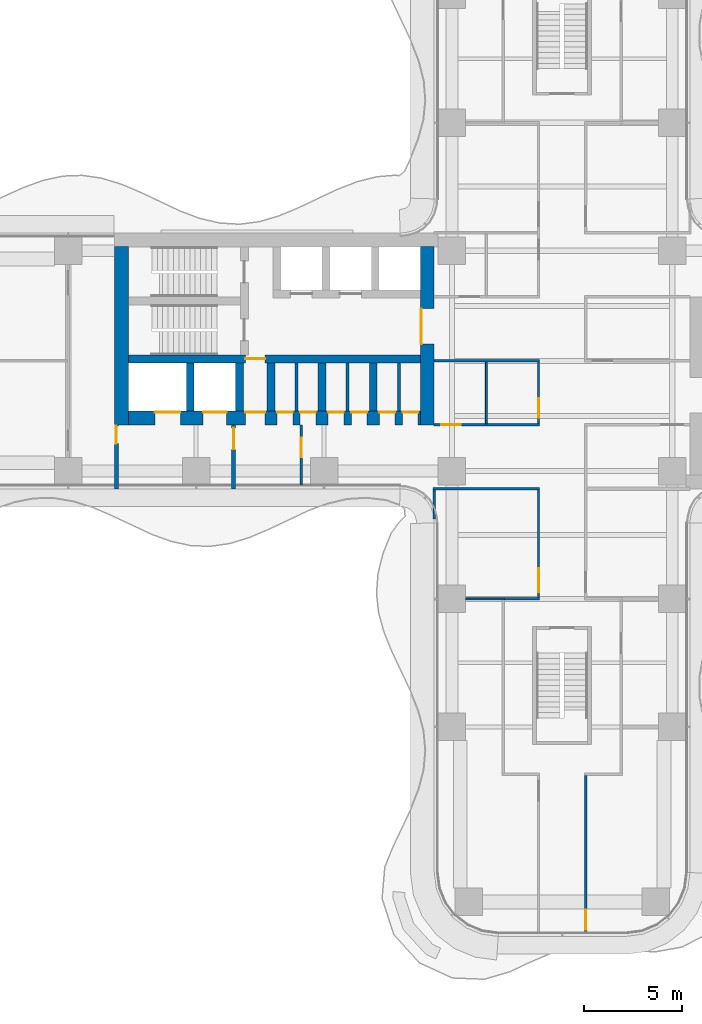
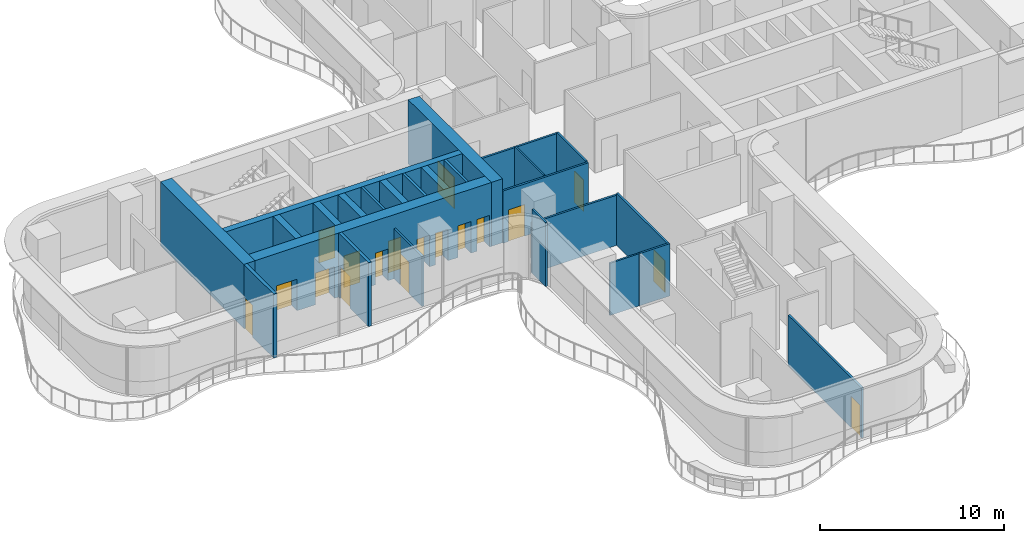
# One storey, part 17 of 22: 25 walls, 18 doors, 18 openings.
"""IFC4 building model written with IfcOpenShell, lengths in metres."""

from ifc_helpers import new_model, si_unit, direction, frame, frame_2d, origin, place, context, subcontext, project, spatial, rectangle, extrude, source, transform, mapped, material, layer, layer_set, type_object, element, fill, save


model = new_model("IFC4")

# Units and contexts
model_context = context("Model", 3, precision=1e-05, world=origin(), true_north=direction((0.0, 1.0)))
body_context = subcontext(model_context, "Body", "Model", "MODEL_VIEW")
ifc_project = project(units=[si_unit("LENGTHUNIT", "METRE"), si_unit("AREAUNIT", "SQUARE_METRE"), si_unit("VOLUMEUNIT", "CUBIC_METRE"), si_unit("PLANEANGLEUNIT", "RADIAN"), si_unit("MASSUNIT", "GRAM", prefix="KILO")], contexts=[model_context])

# Site, building, storey
site_placement = place(None, origin())
site = spatial("IfcSite", under=ifc_project, at=site_placement, CompositionType="ELEMENT")
building_placement = place(site_placement, origin())
building = spatial("IfcBuilding", under=site, at=building_placement, Name="Trellis Farm Tower", CompositionType="ELEMENT")
storey_placement = place(building_placement, frame((0.0, 0.0, 79.0)))
storey = spatial("IfcBuildingStorey", under=building, at=storey_placement, Name="L16", CompositionType="ELEMENT", Elevation=79.0)

# Wall, opening, door
ifc_material_1 = material(Name="Concrete C80/95", Category="concrete")
ifc_layer_1 = layer(ifc_material_1, 0.699951171875)
ifc_layer_set_1 = layer_set([ifc_layer_1], Name="CORE OUTER WALL 700 CONCRETE C80/95")
wall_type_1 = type_object("IfcWallType", Name="CORE OUTER WALL 700 CONCRETE C80/95", PredefinedType="SHEAR", material=ifc_layer_set_1)
shared_shape_1 = source(origin(), body_context, "Body", "SweptSolid", [
    extrude(rectangle(XDim=9.050048828125, YDim=0.699951171875, at=frame_2d((4.52490234375, 0.0))), origin(), (0.0, 0.0, 1.0), 4.25),
])
wall_1_placement = place(storey_placement, frame((-6.85009765625, 5.800048828125, 0.0), z_axis=(0.0, 0.0, 1.0), x_axis=(0.0, -1.0, 0.0)))
wall_1 = element("IfcWall", 1, at=wall_1_placement, inside=storey, type_object=wall_type_1, Name="Core wall", PredefinedType="SHEAR", context=body_context, shape_type="MappedRepresentation", body=[
    mapped(shared_shape_1, transform((0.0, 0.0, 0.0))),
])
shared_shape_2 = source(origin(), body_context, "Body", "SweptSolid", [
    extrude(rectangle(XDim=1.800048828125, YDim=2.10009765625, at=frame_2d((0.89990234375, 1.050048828125))), frame((0.0, 0.360107421875, 0.0), z_axis=(0.0, -1.0, 0.0), x_axis=(1.0, 0.0, 0.0)), (0.0, 0.0, 1.0), 0.72021484375),
])
opening_1_placement = place(wall_1_placement, frame((3.14990234375, 0.0, 0.0)))
opening_1 = element("IfcOpeningElement", 2, at=opening_1_placement, cuts=wall_1, Name="Opening DC87", PredefinedType="OPENING", context=body_context, shape_type="MappedRepresentation", body=[
    mapped(shared_shape_2, transform((0.0, 0.0, 0.0))),
])
ifc_material_2 = material(Name="Steel", Category="steel")
door_type_1 = type_object("IfcDoorType", Name="CORE FIRE DOOR DOUBLE 1800 X 2100", OperationType="DOUBLE_DOOR_SINGLE_SWING", PredefinedType="DOOR", material=ifc_material_2)
shared_shape_3 = source(origin(), body_context, "Body", "SweptSolid", [
    extrude(rectangle(XDim=1.800048828125, YDim=2.10009765625, at=frame_2d((0.89990234375, 1.050048828125))), frame((0.0, -0.27490234375, 0.0), z_axis=(0.0, -1.0, 0.0), x_axis=(1.0, 0.0, 0.0)), (0.0, 0.0, 1.0), 0.050048828125),
])
door_1_placement = place(opening_1_placement, origin())
door_1 = element("IfcDoor", 3, at=door_1_placement, inside=storey, type_object=door_type_1, Name="Core door", OperationType="DOUBLE_DOOR_SINGLE_SWING", OverallHeight=2.10009765625, OverallWidth=1.800048828125, PredefinedType="DOOR", context=body_context, shape_type="MappedRepresentation", body=[
    mapped(shared_shape_3, transform((0.0, 0.0, 0.0))),
])
fill(opening_1, door_1)

# Walls
wall_2_placement = place(storey_placement, frame((-22.39990234375, 5.800048828125, 0.0), z_axis=(0.0, 0.0, 1.0), x_axis=(0.0, -1.0, 0.0)))
element("IfcWall", 4, at=wall_2_placement, inside=storey, type_object=wall_type_1, Name="Core wall", PredefinedType="SHEAR", context=body_context, shape_type="MappedRepresentation", body=[
    mapped(shared_shape_1, transform((0.0, 0.0, 0.0))),
])
ifc_layer_2 = layer(ifc_material_1, 0.39990234375)
ifc_layer_set_2 = layer_set([ifc_layer_2], Name="CORE INNER WALL 400 CONCRETE C80/95")
wall_type_2 = type_object("IfcWallType", Name="CORE INNER WALL 400 CONCRETE C80/95", PredefinedType="SHEAR", material=ifc_layer_set_2)
shared_shape_4 = source(origin(), body_context, "Body", "SweptSolid", [
    extrude(rectangle(XDim=2.449951171875, YDim=0.39990234375, at=frame_2d((1.22509765625, 0.0))), origin(), (0.0, 0.0, 1.0), 4.25),
])
for number, where, z_axis, x_axis, name in (
    (5, (-9.60009765625, -0.10009765625, 0.0), (0.0, 0.0, 1.0), (0.0, -1.0, 0.0), "Core wall"),
    (6, (-12.199951171875, -0.10009765625, 0.0), (0.0, 0.0, 1.0), (0.0, -1.0, 0.0), "Core wall"),
    (7, (-14.800048828125, -0.10009765625, 0.0), (0.0, 0.0, 1.0), (0.0, -1.0, 0.0), "Core wall"),
    (8, (-16.39990234375, -0.10009765625, 0.0), (0.0, 0.0, 1.0), (0.0, -1.0, 0.0), "Core wall"),
    (9, (-18.89990234375, -0.10009765625, 0.0), (0.0, 0.0, 1.0), (0.0, -1.0, 0.0), "Core wall"),
):
    element("IfcWall", number, at=place(storey_placement, frame(where, z_axis=z_axis, x_axis=x_axis)), inside=storey, type_object=wall_type_2, Name=name, PredefinedType="SHEAR", context=body_context, shape_type="MappedRepresentation", body=[
        mapped(shared_shape_4, transform((0.0, 0.0, 0.0))),
    ])

# Wall, opening, door
ifc_material_3 = material(Name="Masonry blockwork", Category="masonry")
ifc_layer_3 = layer(ifc_material_3, 0.199951171875)
ifc_layer_set_3 = layer_set([ifc_layer_3], Name="FIRE LOBBY PARTITION 200 BLOCKWORK")
wall_type_3 = type_object("IfcWallType", Name="FIRE LOBBY PARTITION 200 BLOCKWORK", PredefinedType="PARTITIONING", material=ifc_layer_set_3)
shared_shape_5 = source(origin(), body_context, "Body", "SweptSolid", [
    extrude(rectangle(XDim=3.25, YDim=0.199951171875, at=frame_2d((1.625, 0.0))), origin(), (0.0, 0.0, 1.0), 4.25),
])
wall_3_placement = place(storey_placement, frame((-16.699951171875, -3.25, 0.0), z_axis=(0.0, 0.0, 1.0), x_axis=(0.0, -1.0, 0.0)))
wall_3 = element("IfcWall", 10, at=wall_3_placement, inside=storey, type_object=wall_type_3, Name="Fire-fighting lobby partition", PredefinedType="PARTITIONING", context=body_context, shape_type="MappedRepresentation", body=[
    mapped(shared_shape_5, transform((0.0, 0.0, 0.0))),
])
shared_shape_6 = source(origin(), body_context, "Body", "SweptSolid", [
    extrude(rectangle(XDim=1.10009765625, YDim=2.10009765625, at=frame_2d((0.550048828125, 1.050048828125))), frame((0.0, 0.110107421875, 0.0), z_axis=(0.0, -1.0, 0.0), x_axis=(1.0, 0.0, 0.0)), (0.0, 0.0, 1.0), 0.22021484375),
])
opening_2_placement = place(wall_3_placement, frame((0.14990234375, 0.0, 0.0)))
opening_2 = element("IfcOpeningElement", 11, at=opening_2_placement, cuts=wall_3, Name="Opening DC93", PredefinedType="OPENING", context=body_context, shape_type="MappedRepresentation", body=[
    mapped(shared_shape_6, transform((0.0, 0.0, 0.0))),
])
door_type_2 = type_object("IfcDoorType", Name="CORE FIRE DOOR 1100 X 2100", OperationType="NOTDEFINED", PredefinedType="DOOR", material=ifc_material_2)
shared_shape_7 = source(origin(), body_context, "Body", "SweptSolid", [
    extrude(rectangle(XDim=1.10009765625, YDim=2.10009765625, at=frame_2d((0.550048828125, 1.050048828125))), frame((0.0, 0.02490234375, 0.0), z_axis=(0.0, -1.0, 0.0), x_axis=(1.0, 0.0, 0.0)), (0.0, 0.0, 1.0), 0.050048828125),
])
door_2_placement = place(opening_2_placement, origin())
door_2 = element("IfcDoor", 12, at=door_2_placement, inside=storey, type_object=door_type_2, Name="Core door", OperationType="SINGLE_SWING_RIGHT", OverallHeight=2.10009765625, OverallWidth=1.10009765625, PredefinedType="DOOR", context=body_context, shape_type="MappedRepresentation", body=[
    mapped(shared_shape_7, transform((0.0, 0.0, 0.0))),
])
fill(opening_2, door_2)

wall_4_placement = place(storey_placement, frame((-22.64990234375, -3.25, 0.0), z_axis=(0.0, 0.0, 1.0), x_axis=(0.0, -1.0, 0.0)))
wall_4 = element("IfcWall", 13, at=wall_4_placement, inside=storey, type_object=wall_type_3, Name="Fire-fighting lobby partition", PredefinedType="PARTITIONING", context=body_context, shape_type="MappedRepresentation", body=[
    mapped(shared_shape_5, transform((0.0, 0.0, 0.0))),
])
shared_shape_8 = source(origin(), body_context, "Body", "SweptSolid", [
    extrude(rectangle(XDim=0.89990234375, YDim=2.10009765625, at=frame_2d((0.449951171875, 1.050048828125))), frame((0.0, 0.110107421875, 0.0), z_axis=(0.0, -1.0, 0.0), x_axis=(1.0, 0.0, 0.0)), (0.0, 0.0, 1.0), 0.22021484375),
])
opening_3_placement = place(wall_4_placement, frame((0.050048828125, 0.0, 0.0)))
opening_3 = element("IfcOpeningElement", 14, at=opening_3_placement, cuts=wall_4, Name="Opening DC94", PredefinedType="OPENING", context=body_context, shape_type="MappedRepresentation", body=[
    mapped(shared_shape_8, transform((0.0, 0.0, 0.0))),
])
door_type_3 = type_object("IfcDoorType", Name="CORE FIRE DOOR 900 X 2100", OperationType="NOTDEFINED", PredefinedType="DOOR", material=ifc_material_2)
shared_shape_9 = source(origin(), body_context, "Body", "SweptSolid", [
    extrude(rectangle(XDim=0.89990234375, YDim=2.10009765625, at=frame_2d((0.449951171875, 1.050048828125))), frame((0.0, 0.02490234375, 0.0), z_axis=(0.0, -1.0, 0.0), x_axis=(1.0, 0.0, 0.0)), (0.0, 0.0, 1.0), 0.050048828125),
])
door_3_placement = place(opening_3_placement, origin())
door_3 = element("IfcDoor", 15, at=door_3_placement, inside=storey, type_object=door_type_3, Name="Core door", OperationType="SINGLE_SWING_RIGHT", OverallHeight=2.10009765625, OverallWidth=0.89990234375, PredefinedType="DOOR", context=body_context, shape_type="MappedRepresentation", body=[
    mapped(shared_shape_9, transform((0.0, 0.0, 0.0))),
])
fill(opening_3, door_3)

# Wall, openings, doors
shared_shape_10 = source(origin(), body_context, "Body", "SweptSolid", [
    extrude(rectangle(XDim=14.85009765625, YDim=0.699951171875, at=frame_2d((7.425048828125, 0.0))), origin(), (0.0, 0.0, 1.0), 4.25),
])
wall_5_placement = place(storey_placement, frame((-7.199951171875, -2.89990234375, 0.0), z_axis=(0.0, 0.0, 1.0), x_axis=(-1.0, 0.0, 0.0)))
wall_5 = element("IfcWall", 16, at=wall_5_placement, inside=storey, type_object=wall_type_1, Name="Core wall", PredefinedType="SHEAR", context=body_context, shape_type="MappedRepresentation", body=[
    mapped(shared_shape_10, transform((0.0, 0.0, 0.0))),
])
shared_shape_11 = source(origin(), body_context, "Body", "SweptSolid", [
    extrude(rectangle(XDim=1.300048828125, YDim=2.10009765625, at=frame_2d((0.64990234375, 1.050048828125))), frame((0.0, 0.360107421875, 0.0), z_axis=(0.0, -1.0, 0.0), x_axis=(1.0, 0.0, 0.0)), (0.0, 0.0, 1.0), 0.72021484375),
])
opening_4_placement = place(wall_5_placement, frame((12.199951171875, 0.0, 0.0)))
opening_4 = element("IfcOpeningElement", 17, at=opening_4_placement, cuts=wall_5, Name="Opening LD15", PredefinedType="OPENING", context=body_context, shape_type="MappedRepresentation", body=[
    mapped(shared_shape_11, transform((0.0, 0.0, 0.0))),
])
shared_shape_12 = source(origin(), body_context, "Body", "SweptSolid", [
    extrude(rectangle(XDim=1.199951171875, YDim=2.10009765625, at=frame_2d((0.60009765625, 1.050048828125))), frame((0.0, 0.360107421875, 0.0), z_axis=(0.0, -1.0, 0.0), x_axis=(1.0, 0.0, 0.0)), (0.0, 0.0, 1.0), 0.72021484375),
])
opening_5_placement = place(wall_5_placement, frame((9.85009765625, 0.0, 0.0)))
opening_5 = element("IfcOpeningElement", 18, at=opening_5_placement, cuts=wall_5, Name="Opening LD16", PredefinedType="OPENING", context=body_context, shape_type="MappedRepresentation", body=[
    mapped(shared_shape_12, transform((0.0, 0.0, 0.0))),
])
shared_shape_13 = source(origin(), body_context, "Body", "SweptSolid", [
    extrude(rectangle(XDim=1.0, YDim=2.10009765625, at=frame_2d((0.5, 1.050048828125))), frame((0.0, 0.360107421875, 0.0), z_axis=(0.0, -1.0, 0.0), x_axis=(1.0, 0.0, 0.0)), (0.0, 0.0, 1.0), 0.72021484375),
])
opening_6_placement = place(wall_5_placement, frame((7.89990234375, 0.0, 0.0)))
opening_6 = element("IfcOpeningElement", 19, at=opening_6_placement, cuts=wall_5, Name="Opening DC92", PredefinedType="OPENING", context=body_context, shape_type="MappedRepresentation", body=[
    mapped(shared_shape_13, transform((0.0, 0.0, 0.0))),
])
shared_shape_14 = source(origin(), body_context, "Body", "SweptSolid", [
    extrude(rectangle(XDim=0.800048828125, YDim=2.10009765625, at=frame_2d((0.39990234375, 1.050048828125))), frame((0.0, 0.360107421875, 0.0), z_axis=(0.0, -1.0, 0.0), x_axis=(1.0, 0.0, 0.0)), (0.0, 0.0, 1.0), 0.72021484375),
])
opening_7_placement = place(wall_5_placement, frame((0.112548828125, 0.0, 0.0)))
opening_7 = element("IfcOpeningElement", 20, at=opening_7_placement, cuts=wall_5, Name="Opening DC95", PredefinedType="OPENING", context=body_context, shape_type="MappedRepresentation", body=[
    mapped(shared_shape_14, transform((0.0, 0.0, 0.0))),
])
opening_8_placement = place(wall_5_placement, frame((1.28759765625, 0.0, 0.0)))
opening_8 = element("IfcOpeningElement", 21, at=opening_8_placement, cuts=wall_5, Name="Opening DC102", PredefinedType="OPENING", context=body_context, shape_type="MappedRepresentation", body=[
    mapped(shared_shape_14, transform((0.0, 0.0, 0.0))),
])
opening_9_placement = place(wall_5_placement, frame((2.71240234375, 0.0, 0.0)))
opening_9 = element("IfcOpeningElement", 22, at=opening_9_placement, cuts=wall_5, Name="Opening DC107", PredefinedType="OPENING", context=body_context, shape_type="MappedRepresentation", body=[
    mapped(shared_shape_14, transform((0.0, 0.0, 0.0))),
])
opening_10_placement = place(wall_5_placement, frame((3.887451171875, 0.0, 0.0)))
opening_10 = element("IfcOpeningElement", 23, at=opening_10_placement, cuts=wall_5, Name="Opening DC114", PredefinedType="OPENING", context=body_context, shape_type="MappedRepresentation", body=[
    mapped(shared_shape_14, transform((0.0, 0.0, 0.0))),
])
opening_11_placement = place(wall_5_placement, frame((5.3125, 0.0, 0.0)))
opening_11 = element("IfcOpeningElement", 24, at=opening_11_placement, cuts=wall_5, Name="Opening DC119", PredefinedType="OPENING", context=body_context, shape_type="MappedRepresentation", body=[
    mapped(shared_shape_14, transform((0.0, 0.0, 0.0))),
])
opening_12_placement = place(wall_5_placement, frame((6.487548828125, 0.0, 0.0)))
opening_12 = element("IfcOpeningElement", 25, at=opening_12_placement, cuts=wall_5, Name="Opening DC126", PredefinedType="OPENING", context=body_context, shape_type="MappedRepresentation", body=[
    mapped(shared_shape_14, transform((0.0, 0.0, 0.0))),
])
door_type_4 = type_object("IfcDoorType", Name="CORE FIRE DOOR 1000 X 2100", OperationType="NOTDEFINED", PredefinedType="DOOR", material=ifc_material_2)
shared_shape_15 = source(origin(), body_context, "Body", "SweptSolid", [
    extrude(rectangle(XDim=1.0, YDim=2.10009765625, at=frame_2d((0.5, 1.050048828125))), frame((0.0, -0.27490234375, 0.0), z_axis=(0.0, -1.0, 0.0), x_axis=(1.0, 0.0, 0.0)), (0.0, 0.0, 1.0), 0.050048828125),
])
door_4_placement = place(opening_6_placement, origin())
door_4 = element("IfcDoor", 26, at=door_4_placement, inside=storey, type_object=door_type_4, Name="Core door", OperationType="SINGLE_SWING_LEFT", OverallHeight=2.10009765625, OverallWidth=1.0, PredefinedType="DOOR", context=body_context, shape_type="MappedRepresentation", body=[
    mapped(shared_shape_15, transform((0.0, 0.0, 0.0))),
])
fill(opening_6, door_4)
ifc_material_4 = material(Name="Stainless steel", Category="steel")
door_type_5 = type_object("IfcDoorType", Name="LIFT LANDING DOOR 1300 X 2100", OperationType="DOUBLE_DOOR_SLIDING", PredefinedType="DOOR", material=ifc_material_4)
shared_shape_16 = source(origin(), body_context, "Body", "SweptSolid", [
    extrude(rectangle(XDim=1.300048828125, YDim=2.10009765625, at=frame_2d((0.64990234375, 1.050048828125))), frame((0.0, -0.27490234375, 0.0), z_axis=(0.0, -1.0, 0.0), x_axis=(1.0, 0.0, 0.0)), (0.0, 0.0, 1.0), 0.050048828125),
])
door_5_placement = place(opening_4_placement, origin())
door_5 = element("IfcDoor", 27, at=door_5_placement, inside=storey, type_object=door_type_5, Name="Lift landing door", OperationType="DOUBLE_DOOR_SLIDING", OverallHeight=2.10009765625, OverallWidth=1.300048828125, PredefinedType="DOOR", context=body_context, shape_type="MappedRepresentation", body=[
    mapped(shared_shape_16, transform((0.0, 0.0, 0.0))),
])
fill(opening_4, door_5)
door_type_6 = type_object("IfcDoorType", Name="LIFT LANDING DOOR 1200 X 2100", OperationType="DOUBLE_DOOR_SLIDING", PredefinedType="DOOR", material=ifc_material_4)
shared_shape_17 = source(origin(), body_context, "Body", "SweptSolid", [
    extrude(rectangle(XDim=1.199951171875, YDim=2.10009765625, at=frame_2d((0.60009765625, 1.050048828125))), frame((0.0, -0.27490234375, 0.0), z_axis=(0.0, -1.0, 0.0), x_axis=(1.0, 0.0, 0.0)), (0.0, 0.0, 1.0), 0.050048828125),
])
door_6_placement = place(opening_5_placement, origin())
door_6 = element("IfcDoor", 28, at=door_6_placement, inside=storey, type_object=door_type_6, Name="Lift landing door", OperationType="DOUBLE_DOOR_SLIDING", OverallHeight=2.10009765625, OverallWidth=1.199951171875, PredefinedType="DOOR", context=body_context, shape_type="MappedRepresentation", body=[
    mapped(shared_shape_17, transform((0.0, 0.0, 0.0))),
])
fill(opening_5, door_6)
door_type_7 = type_object("IfcDoorType", Name="CORE FIRE DOOR 800 X 2100", OperationType="NOTDEFINED", PredefinedType="DOOR", material=ifc_material_2)
shared_shape_18 = source(origin(), body_context, "Body", "SweptSolid", [
    extrude(rectangle(XDim=0.800048828125, YDim=2.10009765625, at=frame_2d((0.39990234375, 1.050048828125))), frame((0.0, -0.27490234375, 0.0), z_axis=(0.0, -1.0, 0.0), x_axis=(1.0, 0.0, 0.0)), (0.0, 0.0, 1.0), 0.050048828125),
])
door_7_placement = place(opening_7_placement, origin())
door_7 = element("IfcDoor", 29, at=door_7_placement, inside=storey, type_object=door_type_7, Name="Core door", OperationType="SINGLE_SWING_LEFT", OverallHeight=2.10009765625, OverallWidth=0.800048828125, PredefinedType="DOOR", context=body_context, shape_type="MappedRepresentation", body=[
    mapped(shared_shape_18, transform((0.0, 0.0, 0.0))),
])
fill(opening_7, door_7)
door_8_placement = place(opening_8_placement, origin())
door_8 = element("IfcDoor", 30, at=door_8_placement, inside=storey, type_object=door_type_7, Name="Core door", OperationType="SINGLE_SWING_RIGHT", OverallHeight=2.10009765625, OverallWidth=0.800048828125, PredefinedType="DOOR", context=body_context, shape_type="MappedRepresentation", body=[
    mapped(shared_shape_18, transform((0.0, 0.0, 0.0))),
])
fill(opening_8, door_8)
door_9_placement = place(opening_9_placement, origin())
door_9 = element("IfcDoor", 31, at=door_9_placement, inside=storey, type_object=door_type_7, Name="Core door", OperationType="SINGLE_SWING_LEFT", OverallHeight=2.10009765625, OverallWidth=0.800048828125, PredefinedType="DOOR", context=body_context, shape_type="MappedRepresentation", body=[
    mapped(shared_shape_18, transform((0.0, 0.0, 0.0))),
])
fill(opening_9, door_9)
door_10_placement = place(opening_10_placement, origin())
door_10 = element("IfcDoor", 32, at=door_10_placement, inside=storey, type_object=door_type_7, Name="Core door", OperationType="SINGLE_SWING_RIGHT", OverallHeight=2.10009765625, OverallWidth=0.800048828125, PredefinedType="DOOR", context=body_context, shape_type="MappedRepresentation", body=[
    mapped(shared_shape_18, transform((0.0, 0.0, 0.0))),
])
fill(opening_10, door_10)
door_11_placement = place(opening_11_placement, origin())
door_11 = element("IfcDoor", 33, at=door_11_placement, inside=storey, type_object=door_type_7, Name="Core door", OperationType="SINGLE_SWING_LEFT", OverallHeight=2.10009765625, OverallWidth=0.800048828125, PredefinedType="DOOR", context=body_context, shape_type="MappedRepresentation", body=[
    mapped(shared_shape_18, transform((0.0, 0.0, 0.0))),
])
fill(opening_11, door_11)
door_12_placement = place(opening_12_placement, origin())
door_12 = element("IfcDoor", 34, at=door_12_placement, inside=storey, type_object=door_type_7, Name="Core door", OperationType="SINGLE_SWING_RIGHT", OverallHeight=2.10009765625, OverallWidth=0.800048828125, PredefinedType="DOOR", context=body_context, shape_type="MappedRepresentation", body=[
    mapped(shared_shape_18, transform((0.0, 0.0, 0.0))),
])
fill(opening_12, door_12)

# Wall, opening, door
shared_shape_19 = source(origin(), body_context, "Body", "SweptSolid", [
    extrude(rectangle(XDim=14.85009765625, YDim=0.39990234375, at=frame_2d((7.425048828125, 0.0))), origin(), (0.0, 0.0, 1.0), 4.25),
])
wall_6_placement = place(storey_placement, frame((-7.199951171875, 0.10009765625, 0.0), z_axis=(0.0, 0.0, 1.0), x_axis=(-1.0, 0.0, 0.0)))
wall_6 = element("IfcWall", 35, at=wall_6_placement, inside=storey, type_object=wall_type_2, Name="Core wall", PredefinedType="SHEAR", context=body_context, shape_type="MappedRepresentation", body=[
    mapped(shared_shape_19, transform((0.0, 0.0, 0.0))),
])
shared_shape_20 = source(origin(), body_context, "Body", "SweptSolid", [
    extrude(rectangle(XDim=1.0, YDim=2.10009765625, at=frame_2d((0.5, 1.050048828125))), frame((0.0, 0.2099609375, 0.0), z_axis=(0.0, -1.0, 0.0), x_axis=(1.0, 0.0, 0.0)), (0.0, 0.0, 1.0), 0.419921875),
])
opening_13_placement = place(wall_6_placement, frame((7.89990234375, 0.0, 0.0)))
opening_13 = element("IfcOpeningElement", 36, at=opening_13_placement, cuts=wall_6, Name="Opening DC91", PredefinedType="OPENING", context=body_context, shape_type="MappedRepresentation", body=[
    mapped(shared_shape_20, transform((0.0, 0.0, 0.0))),
])
shared_shape_21 = source(origin(), body_context, "Body", "SweptSolid", [
    extrude(rectangle(XDim=1.0, YDim=2.10009765625, at=frame_2d((0.5, 1.050048828125))), frame((0.0, 0.02490234375, 0.0), z_axis=(0.0, -1.0, 0.0), x_axis=(1.0, 0.0, 0.0)), (0.0, 0.0, 1.0), 0.050048828125),
])
door_13_placement = place(opening_13_placement, origin())
door_13 = element("IfcDoor", 37, at=door_13_placement, inside=storey, type_object=door_type_4, Name="Core door", OperationType="SINGLE_SWING_RIGHT", OverallHeight=2.10009765625, OverallWidth=1.0, PredefinedType="DOOR", context=body_context, shape_type="MappedRepresentation", body=[
    mapped(shared_shape_21, transform((0.0, 0.0, 0.0))),
])
fill(opening_13, door_13)

# Walls
ifc_layer_4 = layer(ifc_material_3, 0.14990234375)
ifc_layer_set_4 = layer_set([ifc_layer_4], Name="CORE PARTITION 150 BLOCKWORK")
wall_type_4 = type_object("IfcWallType", Name="CORE PARTITION 150 BLOCKWORK", PredefinedType="PARTITIONING", material=ifc_layer_set_4)
shared_shape_22 = source(origin(), body_context, "Body", "SweptSolid", [
    extrude(rectangle(XDim=2.449951171875, YDim=0.14990234375, at=frame_2d((1.22509765625, 0.0))), origin(), (0.0, 0.0, 1.0), 4.25),
])
for number, where, z_axis, x_axis, name in (
    (38, (-8.300048828125, -0.10009765625, 0.0), (0.0, 0.0, 1.0), (0.0, -1.0, 0.0), "Core room partition"),
    (39, (-10.89990234375, -0.10009765625, 0.0), (0.0, 0.0, 1.0), (0.0, -1.0, 0.0), "Core room partition"),
    (40, (-13.5, -0.10009765625, 0.0), (0.0, 0.0, 1.0), (0.0, -1.0, 0.0), "Core room partition"),
):
    element("IfcWall", number, at=place(storey_placement, frame(where, z_axis=z_axis, x_axis=x_axis)), inside=storey, type_object=wall_type_4, Name=name, PredefinedType="PARTITIONING", context=body_context, shape_type="MappedRepresentation", body=[
        mapped(shared_shape_22, transform((0.0, 0.0, 0.0))),
    ])

# Wall, opening, door
ifc_material_5 = material(Name="Plasterboard on steel studs, mineral wool", Category="steel")
ifc_layer_5 = layer(ifc_material_5, 0.125)
ifc_layer_set_5 = layer_set([ifc_layer_5], Name="PARTITION 125 STUD EI 60")
wall_type_5 = type_object("IfcWallType", Name="PARTITION 125 STUD EI 60", PredefinedType="PARTITIONING", material=ifc_layer_set_5)
shared_shape_23 = source(origin(), body_context, "Body", "SweptSolid", [
    extrude(rectangle(XDim=3.125, YDim=0.125, at=frame_2d((1.5625, 0.0))), origin(), (0.0, 0.0, 1.0), 3.54638671875),
])
wall_7_placement = place(storey_placement, frame((-1.199951171875, -0.0625, 0.0), z_axis=(0.0, 0.0, 1.0), x_axis=(0.0, -1.0, 0.0)))
wall_7 = element("IfcWall", 41, at=wall_7_placement, inside=storey, type_object=wall_type_5, Name="Partition PW1", PredefinedType="PARTITIONING", context=body_context, shape_type="MappedRepresentation", body=[
    mapped(shared_shape_23, transform((0.0, 0.0, 0.0))),
])
shared_shape_24 = source(origin(), body_context, "Body", "SweptSolid", [
    extrude(rectangle(XDim=1.0, YDim=2.10009765625, at=frame_2d((0.5, 1.050048828125))), frame((0.0, 0.072509765625, 0.0), z_axis=(0.0, -1.0, 0.0), x_axis=(1.0, 0.0, 0.0)), (0.0, 0.0, 1.0), 0.14501953125),
])
opening_14_placement = place(wall_7_placement, frame((1.83740234375, 0.0, 0.0)))
opening_14 = element("IfcOpeningElement", 42, at=opening_14_placement, cuts=wall_7, Name="Opening D105", PredefinedType="OPENING", context=body_context, shape_type="MappedRepresentation", body=[
    mapped(shared_shape_24, transform((0.0, 0.0, 0.0))),
])
ifc_material_6 = material(Name="Fire-rated timber door leaf in a hollow metal frame", Category="wood")
door_type_8 = type_object("IfcDoorType", Name="DOOR 1000x2100 FD30S", OperationType="NOTDEFINED", PredefinedType="DOOR", material=ifc_material_6)
door_14_placement = place(opening_14_placement, origin())
door_14 = element("IfcDoor", 43, at=door_14_placement, inside=storey, type_object=door_type_8, Name="Door D105", OperationType="SINGLE_SWING_RIGHT", OverallHeight=2.10009765625, OverallWidth=1.0, PredefinedType="DOOR", context=body_context, shape_type="MappedRepresentation", body=[
    mapped(shared_shape_21, transform((0.0, 0.0, 0.0))),
])
fill(opening_14, door_14)

shared_shape_25 = source(origin(), body_context, "Body", "SweptSolid", [
    extrude(rectangle(XDim=5.47509765625, YDim=0.125, at=frame_2d((2.737548828125, 0.0))), origin(), (0.0, 0.0, 1.0), 3.4677734375),
])
wall_8_placement = place(storey_placement, frame((-1.199951171875, -6.5625, 0.0), z_axis=(0.0, 0.0, 1.0), x_axis=(0.0, -1.0, 0.0)))
wall_8 = element("IfcWall", 44, at=wall_8_placement, inside=storey, type_object=wall_type_5, Name="Partition PW1", PredefinedType="PARTITIONING", context=body_context, shape_type="MappedRepresentation", body=[
    mapped(shared_shape_25, transform((0.0, 0.0, 0.0))),
])
shared_shape_26 = source(origin(), body_context, "Body", "SweptSolid", [
    extrude(rectangle(XDim=1.199951171875, YDim=2.10009765625, at=frame_2d((0.60009765625, 1.050048828125))), frame((0.0, 0.072509765625, 0.0), z_axis=(0.0, -1.0, 0.0), x_axis=(1.0, 0.0, 0.0)), (0.0, 0.0, 1.0), 0.14501953125),
])
opening_15_placement = place(wall_8_placement, frame((3.987548828125, 0.0, 0.0)))
opening_15 = element("IfcOpeningElement", 45, at=opening_15_placement, cuts=wall_8, Name="Opening D601", PredefinedType="OPENING", context=body_context, shape_type="MappedRepresentation", body=[
    mapped(shared_shape_26, transform((0.0, 0.0, 0.0))),
])
door_type_9 = type_object("IfcDoorType", Name="DOOR 1200x2100 FD30S", OperationType="NOTDEFINED", PredefinedType="DOOR", material=ifc_material_6)
shared_shape_27 = source(origin(), body_context, "Body", "SweptSolid", [
    extrude(rectangle(XDim=1.199951171875, YDim=2.10009765625, at=frame_2d((0.60009765625, 1.050048828125))), frame((0.0, 0.02490234375, 0.0), z_axis=(0.0, -1.0, 0.0), x_axis=(1.0, 0.0, 0.0)), (0.0, 0.0, 1.0), 0.050048828125),
])
door_15_placement = place(opening_15_placement, origin())
door_15 = element("IfcDoor", 46, at=door_15_placement, inside=storey, type_object=door_type_9, Name="Door D601", OperationType="SINGLE_SWING_RIGHT", OverallHeight=2.10009765625, OverallWidth=1.199951171875, PredefinedType="DOOR", context=body_context, shape_type="MappedRepresentation", body=[
    mapped(shared_shape_27, transform((0.0, 0.0, 0.0))),
])
fill(opening_15, door_15)

# Walls
shared_shape_28 = source(origin(), body_context, "Body", "SweptSolid", [
    extrude(rectangle(XDim=1.468994140625, YDim=0.125, at=frame_2d((0.734375, 0.0))), origin(), (0.0, 0.0, 1.0), 4.25),
])
wall_9_placement = place(storey_placement, frame((-6.5, -6.5625, 0.0), z_axis=(0.0, 0.0, 1.0), x_axis=(0.0, -1.0, 0.0)))
element("IfcWall", 47, at=wall_9_placement, inside=storey, type_object=wall_type_5, Name="Partition PW1", PredefinedType="PARTITIONING", context=body_context, shape_type="MappedRepresentation", body=[
    mapped(shared_shape_28, transform((0.0, 0.0, 0.0))),
])
shared_shape_29 = source(origin(), body_context, "Body", "SweptSolid", [
    extrude(rectangle(XDim=1.925048828125, YDim=0.125, at=frame_2d((0.96240234375, 0.0))), origin(), (0.0, 0.0, 1.0), 3.4677734375),
])
wall_10_placement = place(storey_placement, frame((-3.0625, -12.10009765625, 0.0), z_axis=(0.0, 0.0, 1.0), x_axis=(1.0, 0.0, 0.0)))
element("IfcWall", 48, at=wall_10_placement, inside=storey, type_object=wall_type_5, Name="Partition PW1", PredefinedType="PARTITIONING", context=body_context, shape_type="MappedRepresentation", body=[
    mapped(shared_shape_29, transform((0.0, 0.0, 0.0))),
])

# Wall, opening, door
shared_shape_30 = source(origin(), body_context, "Body", "SweptSolid", [
    extrude(rectangle(XDim=5.362548828125, YDim=0.125, at=frame_2d((2.68115234375, 0.0))), origin(), (0.0, 0.0, 1.0), 3.4677734375),
])
wall_11_placement = place(storey_placement, frame((-1.137451171875, -3.25, 0.0), z_axis=(0.0, 0.0, 1.0), x_axis=(-1.0, 0.0, 0.0)))
wall_11 = element("IfcWall", 49, at=wall_11_placement, inside=storey, type_object=wall_type_5, Name="Partition PW1", PredefinedType="PARTITIONING", context=body_context, shape_type="MappedRepresentation", body=[
    mapped(shared_shape_30, transform((0.0, 0.0, 0.0))),
])
opening_16_placement = place(wall_11_placement, frame((4.012451171875, 0.0, 0.0)))
opening_16 = element("IfcOpeningElement", 50, at=opening_16_placement, cuts=wall_11, Name="Opening D104", PredefinedType="OPENING", context=body_context, shape_type="MappedRepresentation", body=[
    mapped(shared_shape_24, transform((0.0, 0.0, 0.0))),
])
door_16_placement = place(opening_16_placement, origin())
door_16 = element("IfcDoor", 51, at=door_16_placement, inside=storey, type_object=door_type_8, Name="Door D104", OperationType="SINGLE_SWING_RIGHT", OverallHeight=2.10009765625, OverallWidth=1.0, PredefinedType="DOOR", context=body_context, shape_type="MappedRepresentation", body=[
    mapped(shared_shape_21, transform((0.0, 0.0, 0.0))),
])
fill(opening_16, door_16)

# Walls
wall_12_placement = place(storey_placement, frame((-1.137451171875, 0.0, 0.0), z_axis=(0.0, 0.0, 1.0), x_axis=(-1.0, 0.0, 0.0)))
element("IfcWall", 52, at=wall_12_placement, inside=storey, type_object=wall_type_5, Name="Partition PW1", PredefinedType="PARTITIONING", context=body_context, shape_type="MappedRepresentation", body=[
    mapped(shared_shape_30, transform((0.0, 0.0, 0.0))),
])
shared_shape_31 = source(origin(), body_context, "Body", "SweptSolid", [
    extrude(rectangle(XDim=5.425048828125, YDim=0.125, at=frame_2d((2.71240234375, 0.0))), origin(), (0.0, 0.0, 1.0), 3.330078125),
])
wall_13_placement = place(storey_placement, frame((-1.137451171875, -6.5, 0.0), z_axis=(0.0, 0.0, 1.0), x_axis=(-1.0, 0.0, 0.0)))
element("IfcWall", 53, at=wall_13_placement, inside=storey, type_object=wall_type_5, Name="Partition PW1", PredefinedType="PARTITIONING", context=body_context, shape_type="MappedRepresentation", body=[
    mapped(shared_shape_31, transform((0.0, 0.0, 0.0))),
])
ifc_material_7 = material(Name="Plasterboard on steel studs", Category="steel")
ifc_layer_6 = layer(ifc_material_7, 0.10009765625)
ifc_layer_set_6 = layer_set([ifc_layer_6], Name="PARTITION 100 STUD EI 30")
wall_type_6 = type_object("IfcWallType", Name="PARTITION 100 STUD EI 30", PredefinedType="PARTITIONING", material=ifc_layer_set_6)
shared_shape_32 = source(origin(), body_context, "Body", "SweptSolid", [
    extrude(rectangle(XDim=3.125, YDim=0.10009765625, at=frame_2d((1.5625, 0.0))), origin(), (0.0, 0.0, 1.0), 3.54638671875),
])
wall_14_placement = place(storey_placement, frame((-3.85009765625, -3.1875, 0.0), z_axis=(0.0, 0.0, 1.0), x_axis=(0.0, 1.0, 0.0)))
element("IfcWall", 54, at=wall_14_placement, inside=storey, type_object=wall_type_6, Name="Partition PW2", PredefinedType="PARTITIONING", context=body_context, shape_type="MappedRepresentation", body=[
    mapped(shared_shape_32, transform((0.0, 0.0, 0.0))),
])
shared_shape_33 = source(origin(), body_context, "Body", "SweptSolid", [
    extrude(rectangle(XDim=1.96240234375, YDim=0.10009765625, at=frame_2d((0.981201171875, 0.0))), origin(), (0.0, 0.0, 1.0), 3.4677734375),
])
wall_15_placement = place(storey_placement, frame((-4.89990234375, -12.10009765625, 0.0), z_axis=(0.0, 0.0, 1.0), x_axis=(1.0, 0.0, 0.0)))
element("IfcWall", 55, at=wall_15_placement, inside=storey, type_object=wall_type_6, Name="Partition PW2", PredefinedType="PARTITIONING", context=body_context, shape_type="MappedRepresentation", body=[
    mapped(shared_shape_33, transform((0.0, 0.0, 0.0))),
])

# Wall, opening, door
shared_shape_34 = source(origin(), body_context, "Body", "SweptSolid", [
    extrude(rectangle(XDim=7.987548828125, YDim=0.125, at=frame_2d((3.99365234375, 0.0))), origin(), (0.0, 0.0, 1.0), 3.330078125),
])
wall_16_placement = place(storey_placement, frame((1.199951171875, -21.0625, 0.0), z_axis=(0.0, 0.0, 1.0), x_axis=(0.0, -1.0, 0.0)))
wall_16 = element("IfcWall", 56, at=wall_16_placement, inside=storey, type_object=wall_type_5, Name="Partition PW1", PredefinedType="PARTITIONING", context=body_context, shape_type="MappedRepresentation", body=[
    mapped(shared_shape_34, transform((0.0, 0.0, 0.0))),
])
opening_17_placement = place(wall_16_placement, frame((6.83740234375, 0.0, 0.0)))
opening_17 = element("IfcOpeningElement", 57, at=opening_17_placement, cuts=wall_16, Name="Opening D101", PredefinedType="OPENING", context=body_context, shape_type="MappedRepresentation", body=[
    mapped(shared_shape_24, transform((0.0, 0.0, 0.0))),
])
door_17_placement = place(opening_17_placement, origin())
door_17 = element("IfcDoor", 58, at=door_17_placement, inside=storey, type_object=door_type_8, Name="Door D101", OperationType="SINGLE_SWING_RIGHT", OverallHeight=2.10009765625, OverallWidth=1.0, PredefinedType="DOOR", context=body_context, shape_type="MappedRepresentation", body=[
    mapped(shared_shape_21, transform((0.0, 0.0, 0.0))),
])
fill(opening_17, door_17)

shared_shape_35 = source(origin(), body_context, "Body", "SweptSolid", [
    extrude(rectangle(XDim=3.050048828125, YDim=0.125, at=frame_2d((1.52490234375, 0.0))), origin(), (0.0, 0.0, 1.0), 3.330078125),
])
wall_17_placement = place(storey_placement, frame((-13.26708984375, -6.300048828125, 0.0), z_axis=(0.0, 0.0, 1.0), x_axis=(0.0, 1.0, 0.0)))
wall_17 = element("IfcWall", 59, at=wall_17_placement, inside=storey, type_object=wall_type_5, Name="Partition PW1", PredefinedType="PARTITIONING", context=body_context, shape_type="MappedRepresentation", body=[
    mapped(shared_shape_35, transform((0.0, 0.0, 0.0))),
])
opening_18_placement = place(wall_17_placement, frame((1.39990234375, 0.0, 0.0)))
opening_18 = element("IfcOpeningElement", 60, at=opening_18_placement, cuts=wall_17, Name="Opening D303", PredefinedType="OPENING", context=body_context, shape_type="MappedRepresentation", body=[
    mapped(shared_shape_24, transform((0.0, 0.0, 0.0))),
])
door_type_10 = type_object("IfcDoorType", Name="DOOR 1000x2100 FD60", OperationType="NOTDEFINED", PredefinedType="DOOR", material=ifc_material_6)
door_18_placement = place(opening_18_placement, origin())
door_18 = element("IfcDoor", 61, at=door_18_placement, inside=storey, type_object=door_type_10, Name="Door D303", OperationType="SINGLE_SWING_LEFT", OverallHeight=2.10009765625, OverallWidth=1.0, PredefinedType="DOOR", context=body_context, shape_type="MappedRepresentation", body=[
    mapped(shared_shape_21, transform((0.0, 0.0, 0.0))),
])
fill(opening_18, door_18)

save(model, "model.ifc")
